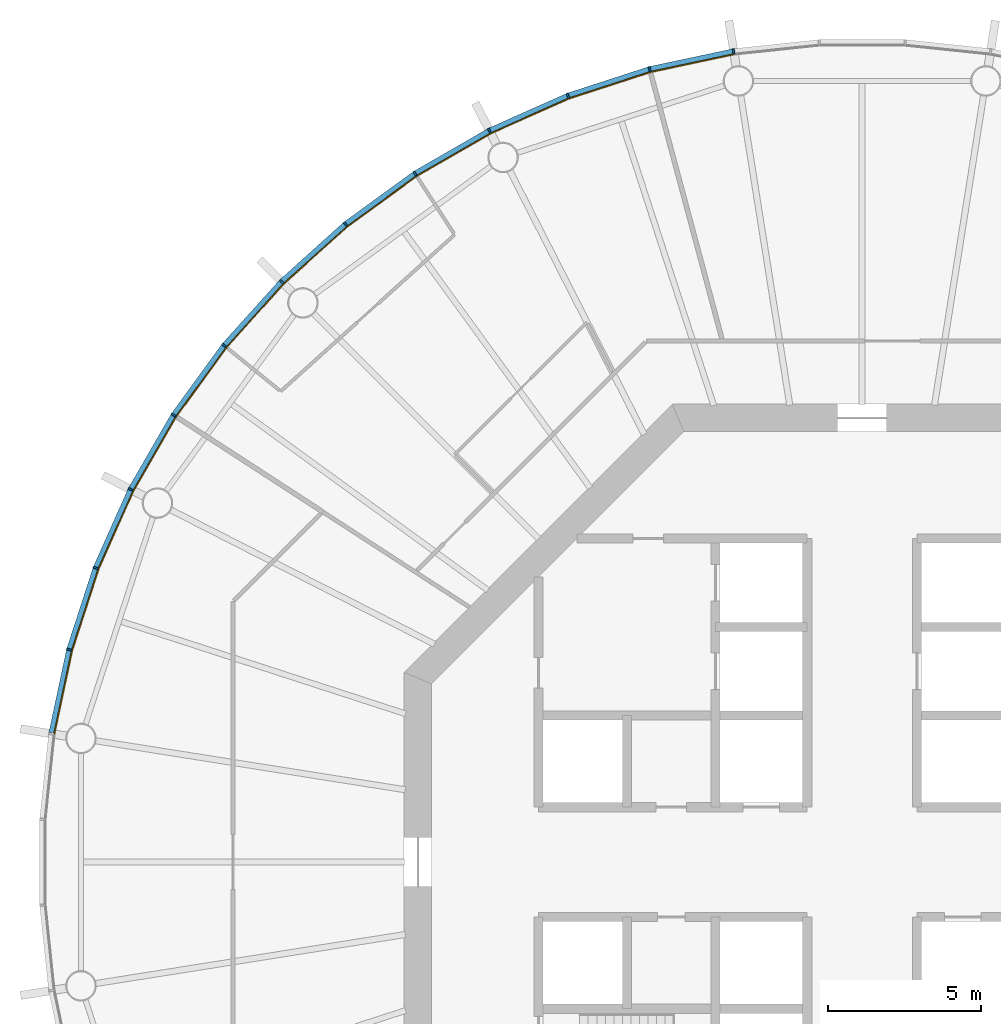
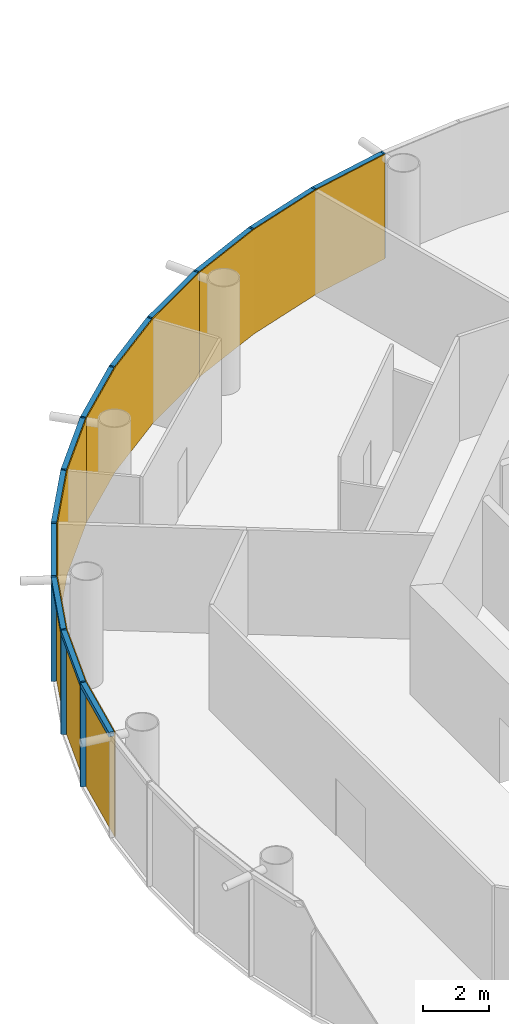
# One storey, part 10 of 13: 24 members, 4 curtain walls.
"""IFC4 building model written with IfcOpenShell, lengths in metres."""

from ifc_helpers import new_model, si_unit, direction, frame, origin, origin_2d, place, context, subcontext, project, spatial, polyline, rectangle, outline, extrude, material, layer, layer_set, material_profile, profile_set, type_object, element, aggregate, save


model = new_model("IFC4")

# Units and contexts
model_context = context("Model", 3, precision=1e-05, world=origin(), true_north=direction((0.0, 1.0)))
body_context = subcontext(model_context, "Body", "Model", "MODEL_VIEW")
ifc_project = project(units=[si_unit("LENGTHUNIT", "METRE"), si_unit("AREAUNIT", "SQUARE_METRE"), si_unit("VOLUMEUNIT", "CUBIC_METRE"), si_unit("PLANEANGLEUNIT", "RADIAN"), si_unit("MASSUNIT", "GRAM", prefix="KILO")], contexts=[model_context])

# Member
ifc_material_1 = material(Name="Anodised aluminium", Category="aluminium")
ifc_material_profile_1 = material_profile(ifc_material_1, rectangle(XDim=0.06005859375, YDim=0.169921875, at=origin_2d()), Name="Mullion 60 x 170 mm anodised aluminium")
ifc_profile_set_1 = profile_set([ifc_material_profile_1], Name="Anodised aluminium")
member_type_1 = type_object("IfcMemberType", Name="Mullion 60 x 170 mm anodised aluminium", PredefinedType="MULLION", material=ifc_profile_set_1)
site_placement = place(None, origin())
building_placement = place(site_placement, origin())
storey_placement = place(building_placement, frame((0.0, 0.0, 226.0)))
member_1_placement = place(storey_placement, frame((85.794189453125, 106.553955078125, 0.0), z_axis=(0.0, 0.0, 1.0), x_axis=(-0.987688340595, -0.15643446504, 0.0)))
member_1 = element("IfcMember", 1, at=member_1_placement, type_object=member_type_1, Name="MULLION L52-15", PredefinedType="MULLION", context=body_context, shape_type="SweptSolid", body=[
    extrude(rectangle(XDim=0.06005859375, YDim=0.169921875, at=origin_2d()), origin(), (0.0, 0.0, 1.0), 3.85009765625),
])

member_2_placement = place(storey_placement, frame((83.041748046875, 105.968994140625, 0.0), z_axis=(0.0, 0.0, 1.0), x_axis=(-0.965925826289, -0.258819045103, 0.0)))
member_2 = element("IfcMember", 2, at=member_2_placement, type_object=member_type_1, Name="MULLION L52-16", PredefinedType="MULLION", context=body_context, shape_type="SweptSolid", body=[
    extrude(rectangle(XDim=0.06005859375, YDim=0.169921875, at=origin_2d()), origin(), (0.0, 0.0, 1.0), 3.85009765625),
])

member_3_placement = place(storey_placement, frame((80.365234375, 105.099365234375, 0.0), z_axis=(0.0, 0.0, 1.0), x_axis=(-0.933580426497, -0.358367949545, 0.0)))
member_3 = element("IfcMember", 3, at=member_3_placement, type_object=member_type_1, Name="MULLION L52-17", PredefinedType="MULLION", context=body_context, shape_type="SweptSolid", body=[
    extrude(rectangle(XDim=0.06005859375, YDim=0.169921875, at=origin_2d()), origin(), (0.0, 0.0, 1.0), 3.85009765625),
])

member_4_placement = place(storey_placement, frame((77.79443359375, 103.95458984375, 0.0), z_axis=(0.0, 0.0, 1.0), x_axis=(-0.891006524188, -0.45399049974, 0.0)))
member_4 = element("IfcMember", 4, at=member_4_placement, type_object=member_type_1, Name="MULLION L52-18", PredefinedType="MULLION", context=body_context, shape_type="SweptSolid", body=[
    extrude(rectangle(XDim=0.06005859375, YDim=0.169921875, at=origin_2d()), origin(), (0.0, 0.0, 1.0), 3.85009765625),
])

member_5_placement = place(storey_placement, frame((75.357421875, 102.547607421875, 0.0), z_axis=(0.0, 0.0, 1.0), x_axis=(-0.838670567945, -0.544639035015, 0.0)))
member_5 = element("IfcMember", 5, at=member_5_placement, type_object=member_type_1, Name="MULLION L52-19", PredefinedType="MULLION", context=body_context, shape_type="SweptSolid", body=[
    extrude(rectangle(XDim=0.06005859375, YDim=0.169921875, at=origin_2d()), origin(), (0.0, 0.0, 1.0), 3.85009765625),
])

member_6_placement = place(storey_placement, frame((73.080810546875, 100.8935546875, 0.0), z_axis=(0.0, 0.0, 1.0), x_axis=(-0.777145961457, -0.62932039105, 0.0)))
member_6 = element("IfcMember", 6, at=member_6_placement, type_object=member_type_1, Name="MULLION L52-20", PredefinedType="MULLION", context=body_context, shape_type="SweptSolid", body=[
    extrude(rectangle(XDim=0.06005859375, YDim=0.169921875, at=origin_2d()), origin(), (0.0, 0.0, 1.0), 3.85009765625),
])

member_7_placement = place(storey_placement, frame((70.989501953125, 99.010498046875, 0.0), z_axis=(0.0, 0.0, 1.0), x_axis=(-0.707106781187, -0.707106781187, 0.0)))
member_7 = element("IfcMember", 7, at=member_7_placement, type_object=member_type_1, Name="MULLION L52-21", PredefinedType="MULLION", context=body_context, shape_type="SweptSolid", body=[
    extrude(rectangle(XDim=0.06005859375, YDim=0.169921875, at=origin_2d()), origin(), (0.0, 0.0, 1.0), 3.85009765625),
])

member_8_placement = place(storey_placement, frame((69.1064453125, 96.919189453125, 0.0), z_axis=(0.0, 0.0, 1.0), x_axis=(-0.62932039105, -0.777145961457, 0.0)))
member_8 = element("IfcMember", 8, at=member_8_placement, type_object=member_type_1, Name="MULLION L52-22", PredefinedType="MULLION", context=body_context, shape_type="SweptSolid", body=[
    extrude(rectangle(XDim=0.06005859375, YDim=0.169921875, at=origin_2d()), origin(), (0.0, 0.0, 1.0), 3.85009765625),
])

member_9_placement = place(storey_placement, frame((67.452392578125, 94.642578125, 0.0), z_axis=(0.0, 0.0, 1.0), x_axis=(-0.544639035015, -0.838670567945, 0.0)))
member_9 = element("IfcMember", 9, at=member_9_placement, type_object=member_type_1, Name="MULLION L52-23", PredefinedType="MULLION", context=body_context, shape_type="SweptSolid", body=[
    extrude(rectangle(XDim=0.06005859375, YDim=0.169921875, at=origin_2d()), origin(), (0.0, 0.0, 1.0), 3.85009765625),
])

member_10_placement = place(storey_placement, frame((66.04541015625, 92.20556640625, 0.0), z_axis=(0.0, 0.0, 1.0), x_axis=(-0.45399049974, -0.891006524188, 0.0)))
member_10 = element("IfcMember", 10, at=member_10_placement, type_object=member_type_1, Name="MULLION L52-24", PredefinedType="MULLION", context=body_context, shape_type="SweptSolid", body=[
    extrude(rectangle(XDim=0.06005859375, YDim=0.169921875, at=origin_2d()), origin(), (0.0, 0.0, 1.0), 3.85009765625),
])

member_11_placement = place(storey_placement, frame((64.900634765625, 89.634765625, 0.0), z_axis=(0.0, 0.0, 1.0), x_axis=(-0.358367949545, -0.933580426497, 0.0)))
member_11 = element("IfcMember", 11, at=member_11_placement, type_object=member_type_1, Name="MULLION L52-25", PredefinedType="MULLION", context=body_context, shape_type="SweptSolid", body=[
    extrude(rectangle(XDim=0.06005859375, YDim=0.169921875, at=origin_2d()), origin(), (0.0, 0.0, 1.0), 3.85009765625),
])

member_12_placement = place(storey_placement, frame((64.031005859375, 86.958251953125, 0.0), z_axis=(0.0, 0.0, 1.0), x_axis=(-0.258819045103, -0.965925826289, 0.0)))
member_12 = element("IfcMember", 12, at=member_12_placement, type_object=member_type_1, Name="MULLION L52-26", PredefinedType="MULLION", context=body_context, shape_type="SweptSolid", body=[
    extrude(rectangle(XDim=0.06005859375, YDim=0.169921875, at=origin_2d()), origin(), (0.0, 0.0, 1.0), 3.85009765625),
])

ifc_material_2 = material(Name="Anodised aluminium", Category="aluminium")
ifc_material_profile_2 = material_profile(ifc_material_2, rectangle(XDim=0.169921875, YDim=0.1650390625, at=origin_2d()), Name="Transom 165 x 170 mm anodised aluminium")
ifc_profile_set_2 = profile_set([ifc_material_profile_2], Name="Anodised aluminium")
member_type_2 = type_object("IfcMemberType", Name="Transom 165 x 170 mm anodised aluminium", PredefinedType="USERDEFINED", material=ifc_profile_set_2)
member_13_placement = place(storey_placement, frame((85.760498046875, 106.546875, 3.767578125), z_axis=(-0.97814212115, -0.207937468562, 0.0), x_axis=(0.207937468562, -0.97814212115, 0.0)))
member_13 = element("IfcMember", 13, at=member_13_placement, type_object=member_type_2, Name="TRANSOM L52-15", ObjectType="TRANSOM", PredefinedType="USERDEFINED", context=body_context, shape_type="SweptSolid", body=[
    extrude(rectangle(XDim=0.169921875, YDim=0.1650390625, at=origin_2d()), origin(), (0.0, 0.0, 1.0), 2.7451171875),
])

member_14_placement = place(storey_placement, frame((83.0087890625, 105.95849609375, 3.767578125), z_axis=(-0.951048445774, -0.309041831781, 0.0), x_axis=(0.309041831781, -0.951048445774, 0.0)))
member_14 = element("IfcMember", 14, at=member_14_placement, type_object=member_type_2, Name="TRANSOM L52-16", ObjectType="TRANSOM", PredefinedType="USERDEFINED", context=body_context, shape_type="SweptSolid", body=[
    extrude(rectangle(XDim=0.169921875, YDim=0.1650390625, at=origin_2d()), origin(), (0.0, 0.0, 1.0), 2.7451171875),
])

member_15_placement = place(storey_placement, frame((80.333740234375, 105.08544921875, 3.767578125), z_axis=(-0.913525267704, -0.406781987391, 0.0), x_axis=(0.406781987391, -0.913525267704, 0.0)))
member_15 = element("IfcMember", 15, at=member_15_placement, type_object=member_type_2, Name="TRANSOM L52-17", ObjectType="TRANSOM", PredefinedType="USERDEFINED", context=body_context, shape_type="SweptSolid", body=[
    extrude(rectangle(XDim=0.169921875, YDim=0.1650390625, at=origin_2d()), origin(), (0.0, 0.0, 1.0), 2.7451171875),
])

member_16_placement = place(storey_placement, frame((77.7646484375, 103.9375, 3.767578125), z_axis=(-0.866034527326, -0.49998419723, 0.0), x_axis=(0.49998419723, -0.866034527326, 0.0)))
member_16 = element("IfcMember", 16, at=member_16_placement, type_object=member_type_2, Name="TRANSOM L52-18", ObjectType="TRANSOM", PredefinedType="USERDEFINED", context=body_context, shape_type="SweptSolid", body=[
    extrude(rectangle(XDim=0.169921875, YDim=0.1650390625, at=origin_2d()), origin(), (0.0, 0.0, 1.0), 2.7451171875),
])

member_17_placement = place(storey_placement, frame((75.329345703125, 102.527587890625, 3.767578125), z_axis=(-0.808959086484, -0.587864947412, 0.0), x_axis=(0.587864947412, -0.808959086484, 0.0)))
member_17 = element("IfcMember", 17, at=member_17_placement, type_object=member_type_2, Name="TRANSOM L52-19", ObjectType="TRANSOM", PredefinedType="USERDEFINED", context=body_context, shape_type="SweptSolid", body=[
    extrude(rectangle(XDim=0.169921875, YDim=0.1650390625, at=origin_2d()), origin(), (0.0, 0.0, 1.0), 2.7451171875),
])

member_18_placement = place(storey_placement, frame((73.054931640625, 100.87060546875, 3.767578125), z_axis=(-0.743134927907, -0.669141598561, 0.0), x_axis=(0.669141598561, -0.743134927907, 0.0)))
member_18 = element("IfcMember", 18, at=member_18_placement, type_object=member_type_2, Name="TRANSOM L52-20", ObjectType="TRANSOM", PredefinedType="USERDEFINED", context=body_context, shape_type="SweptSolid", body=[
    extrude(rectangle(XDim=0.169921875, YDim=0.1650390625, at=origin_2d()), origin(), (0.0, 0.0, 1.0), 2.7451171875),
])

member_19_placement = place(storey_placement, frame((70.96630859375, 98.985107421875, 3.767578125), z_axis=(-0.669141598561, -0.743134927907, 0.0), x_axis=(0.743134927907, -0.669141598561, 0.0)))
member_19 = element("IfcMember", 19, at=member_19_placement, type_object=member_type_2, Name="TRANSOM L52-21", ObjectType="TRANSOM", PredefinedType="USERDEFINED", context=body_context, shape_type="SweptSolid", body=[
    extrude(rectangle(XDim=0.169921875, YDim=0.1650390625, at=origin_2d()), origin(), (0.0, 0.0, 1.0), 2.7451171875),
])

member_20_placement = place(storey_placement, frame((69.086181640625, 96.891357421875, 3.767578125), z_axis=(-0.587864947412, -0.808959086484, 0.0), x_axis=(0.808959086484, -0.587864947412, 0.0)))
member_20 = element("IfcMember", 20, at=member_20_placement, type_object=member_type_2, Name="TRANSOM L52-22", ObjectType="TRANSOM", PredefinedType="USERDEFINED", context=body_context, shape_type="SweptSolid", body=[
    extrude(rectangle(XDim=0.169921875, YDim=0.1650390625, at=origin_2d()), origin(), (0.0, 0.0, 1.0), 2.7451171875),
])

member_21_placement = place(storey_placement, frame((67.43505859375, 94.61279296875, 3.767578125), z_axis=(-0.49998419723, -0.866034527326, 0.0), x_axis=(0.866034527326, -0.49998419723, 0.0)))
member_21 = element("IfcMember", 21, at=member_21_placement, type_object=member_type_2, Name="TRANSOM L52-23", ObjectType="TRANSOM", PredefinedType="USERDEFINED", context=body_context, shape_type="SweptSolid", body=[
    extrude(rectangle(XDim=0.169921875, YDim=0.1650390625, at=origin_2d()), origin(), (0.0, 0.0, 1.0), 2.7451171875),
])

member_22_placement = place(storey_placement, frame((66.03125, 92.174072265625, 3.767578125), z_axis=(-0.406781987391, -0.913525267704, 0.0), x_axis=(0.913525267704, -0.406781987391, 0.0)))
member_22 = element("IfcMember", 22, at=member_22_placement, type_object=member_type_2, Name="TRANSOM L52-24", ObjectType="TRANSOM", PredefinedType="USERDEFINED", context=body_context, shape_type="SweptSolid", body=[
    extrude(rectangle(XDim=0.169921875, YDim=0.1650390625, at=origin_2d()), origin(), (0.0, 0.0, 1.0), 2.7451171875),
])

member_23_placement = place(storey_placement, frame((64.889892578125, 89.60205078125, 3.767578125), z_axis=(-0.309041831781, -0.951048445774, 0.0), x_axis=(0.951048445774, -0.309041831781, 0.0)))
member_23 = element("IfcMember", 23, at=member_23_placement, type_object=member_type_2, Name="TRANSOM L52-25", ObjectType="TRANSOM", PredefinedType="USERDEFINED", context=body_context, shape_type="SweptSolid", body=[
    extrude(rectangle(XDim=0.169921875, YDim=0.1650390625, at=origin_2d()), origin(), (0.0, 0.0, 1.0), 2.7451171875),
])

member_24_placement = place(storey_placement, frame((64.02392578125, 86.924560546875, 3.767578125), z_axis=(-0.207937468562, -0.97814212115, 0.0), x_axis=(0.97814212115, -0.207937468562, 0.0)))
member_24 = element("IfcMember", 24, at=member_24_placement, type_object=member_type_2, Name="TRANSOM L52-26", ObjectType="TRANSOM", PredefinedType="USERDEFINED", context=body_context, shape_type="SweptSolid", body=[
    extrude(rectangle(XDim=0.169921875, YDim=0.1650390625, at=origin_2d()), origin(), (0.0, 0.0, 1.0), 2.7451171875),
])

# Site, building, storey
site = spatial("IfcSite", under=ifc_project, at=site_placement, CompositionType="ELEMENT")
building = spatial("IfcBuilding", under=site, at=building_placement, Name="Entoto Ring Tower", CompositionType="ELEMENT")
storey = spatial("IfcBuildingStorey", under=building, at=storey_placement, Name="L52", CompositionType="ELEMENT", Elevation=226.0)

# Curtain wall
ifc_material_3 = material(Name="Clear low-iron glass", Category="glass")
ifc_layer = layer(ifc_material_3, 0.031982421875)
ifc_layer_set = layer_set([ifc_layer], Name="Clear low-iron glass")
curtain_wall_type = type_object("IfcCurtainWallType", Name="Curtain wall system CW4 glazing 32 mm", PredefinedType="NOTDEFINED", material=ifc_layer_set)
curtain_wall_1_placement = place(storey_placement, origin())
curtain_wall_1 = element("IfcCurtainWall", 25, at=curtain_wall_1_placement, inside=storey, type_object=curtain_wall_type, Name="CW4 L52-06", PredefinedType="NOTDEFINED", context=body_context, shape_type="SweptSolid", body=[
    extrude(outline(polyline([(85.8076171875, 106.469970703125), (83.063720703125, 105.88671875), (80.395751953125, 105.02001953125), (77.8330078125, 103.87890625), (77.84765625, 103.850341796875), (80.4072265625, 104.989990234375), (83.072021484375, 105.85595703125), (85.8125, 106.4384765625), (85.8076171875, 106.469970703125)])), origin(), (0.0, 0.0, 1.0), 3.85009765625),
])

aggregate(curtain_wall_1, [member_1, member_2, member_3, member_13, member_14, member_15])

curtain_wall_2_placement = place(storey_placement, origin())
curtain_wall_2 = element("IfcCurtainWall", 26, at=curtain_wall_2_placement, inside=storey, type_object=curtain_wall_type, Name="CW4 L52-07", PredefinedType="NOTDEFINED", context=body_context, shape_type="SweptSolid", body=[
    extrude(outline(polyline([(77.8330078125, 103.87890625), (75.403564453125, 102.476318359375), (73.13427734375, 100.827392578125), (71.049560546875, 98.950439453125), (71.072265625, 98.927734375), (73.154296875, 100.802490234375), (75.421142578125, 102.449462890625), (77.84765625, 103.850341796875), (77.8330078125, 103.87890625)])), origin(), (0.0, 0.0, 1.0), 3.85009765625),
])

aggregate(curtain_wall_2, [member_4, member_5, member_6, member_16, member_17, member_18])

curtain_wall_3_placement = place(storey_placement, origin())
curtain_wall_3 = element("IfcCurtainWall", 27, at=curtain_wall_3_placement, inside=storey, type_object=curtain_wall_type, Name="CW4 L52-08", PredefinedType="NOTDEFINED", context=body_context, shape_type="SweptSolid", body=[
    extrude(outline(polyline([(71.049560546875, 98.950439453125), (69.172607421875, 96.86572265625), (67.523681640625, 94.596435546875), (66.12109375, 92.1669921875), (66.149658203125, 92.15234375), (67.550537109375, 94.578857421875), (69.197509765625, 96.845703125), (71.072265625, 98.927734375), (71.049560546875, 98.950439453125)])), origin(), (0.0, 0.0, 1.0), 3.85009765625),
])

aggregate(curtain_wall_3, [member_7, member_8, member_9, member_19, member_20, member_21])

curtain_wall_4_placement = place(storey_placement, origin())
curtain_wall_4 = element("IfcCurtainWall", 28, at=curtain_wall_4_placement, inside=storey, type_object=curtain_wall_type, Name="CW4 L52-09", PredefinedType="NOTDEFINED", context=body_context, shape_type="SweptSolid", body=[
    extrude(outline(polyline([(66.12109375, 92.1669921875), (64.97998046875, 89.604248046875), (64.11328125, 86.936279296875), (63.530029296875, 84.1923828125), (63.5615234375, 84.1875), (64.14404296875, 86.927978515625), (65.010009765625, 89.5927734375), (66.149658203125, 92.15234375), (66.12109375, 92.1669921875)])), origin(), (0.0, 0.0, 1.0), 3.85009765625),
])

aggregate(curtain_wall_4, [member_10, member_11, member_12, member_22, member_23, member_24])

save(model, "model.ifc")
